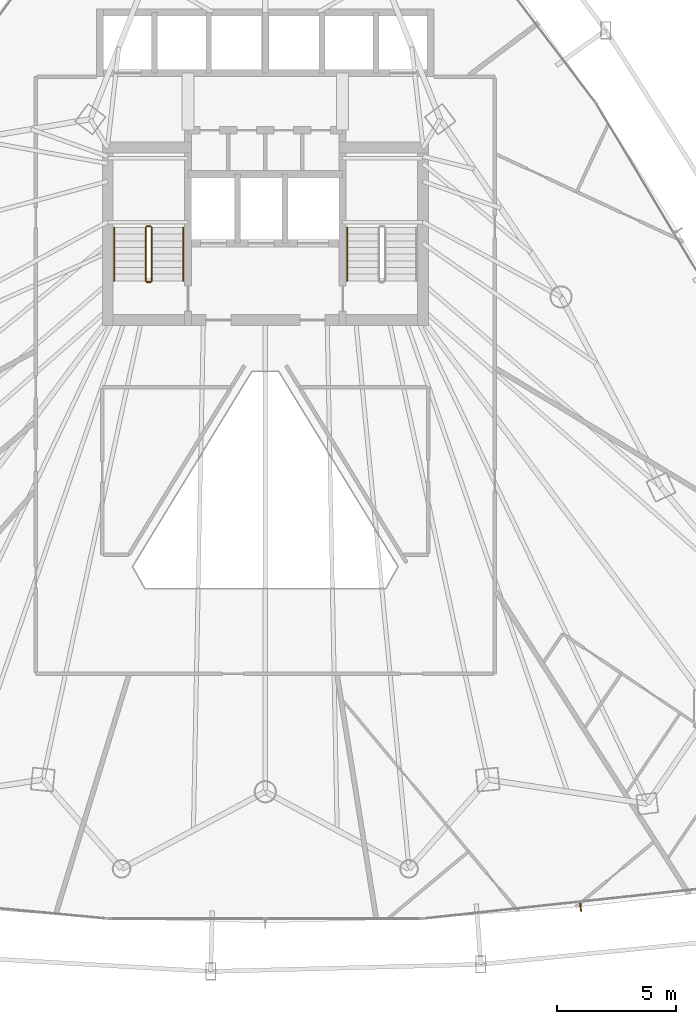
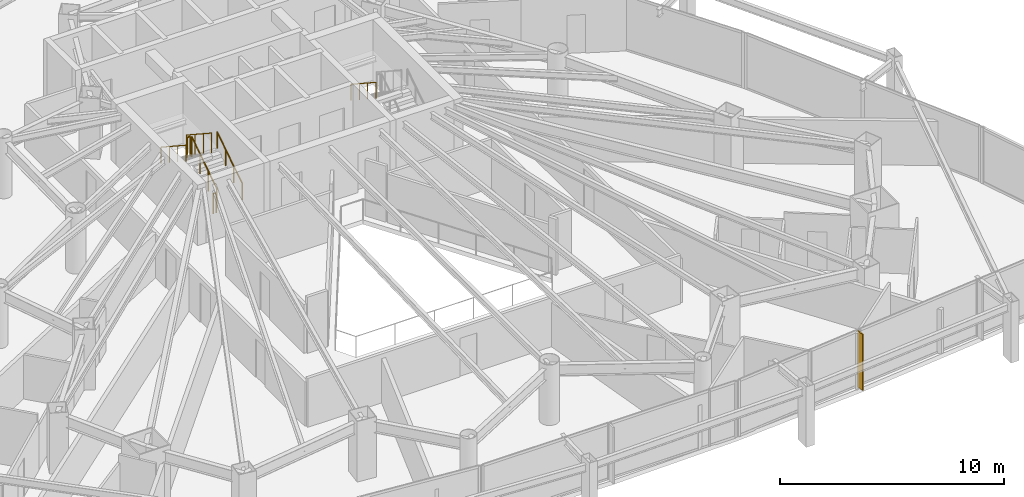
# One storey, part 36 of 38: 7 railings, 1 shading device.
"""IFC4 building model written with IfcOpenShell, lengths in metres."""

from ifc_helpers import new_model, si_unit, direction, frame, origin, origin_2d, place, context, subcontext, project, spatial, rectangle, circle, extrude, material, layer, layer_set, type_object, element, save


model = new_model("IFC4")

# Units and contexts
model_context = context("Model", 3, precision=1e-05, world=origin(), true_north=direction((0.0, 1.0)))
body_context = subcontext(model_context, "Body", "Model", "MODEL_VIEW")
ifc_project = project(units=[si_unit("LENGTHUNIT", "METRE"), si_unit("AREAUNIT", "SQUARE_METRE"), si_unit("VOLUMEUNIT", "CUBIC_METRE"), si_unit("PLANEANGLEUNIT", "RADIAN"), si_unit("MASSUNIT", "GRAM", prefix="KILO")], contexts=[model_context])

# Site, building, storey
site_placement = place(None, origin())
site = spatial("IfcSite", under=ifc_project, at=site_placement, CompositionType="ELEMENT")
building_placement = place(site_placement, origin())
building = spatial("IfcBuilding", under=site, at=building_placement, Name="Orvanel Arch Residences", CompositionType="ELEMENT")
storey_placement = place(building_placement, frame((0.0, 0.0, 46.699951171875)))
storey = spatial("IfcBuildingStorey", under=building, at=storey_placement, Name="L12", CompositionType="ELEMENT", Elevation=46.699951171875)

# Shading device
ifc_material_1 = material(Name="Bronze-anodised aluminium AA6063-T6", Category="aluminium")
ifc_layer = layer(ifc_material_1, 0.06005859375)
ifc_layer_set = layer_set([ifc_layer], Name="Bronze-anodised aluminium AA6063-T6")
shading_device_type = type_object("IfcShadingDeviceType", Name="FIN-BRZ-380", PredefinedType="USERDEFINED", material=ifc_layer_set)
shading_device_placement = place(storey_placement, frame((46.251953125, 2.0048828125, 0.0), z_axis=(0.0, 0.0, 1.0), x_axis=(0.106264071336, -0.994337944133, 0.0)))
element("IfcShadingDevice", 1, at=shading_device_placement, inside=storey, type_object=shading_device_type, Name="L12 Anodised Bronze Mullion FIN 01", ObjectType="FIN", PredefinedType="USERDEFINED", context=body_context, shape_type="SweptSolid", body=[
    extrude(rectangle(XDim=0.3798828125, YDim=0.06005859375, at=origin_2d()), origin(), (0.0, 0.0, 1.0), 3.06005859375),
])

# Railings
ifc_material_2 = material(Name="Structural steel AS/NZS 1163 C350L0 (Grade 350)", Category="steel")
railing_type_1 = type_object("IfcRailingType", Name="RL-STAIR-GUARD", PredefinedType="GUARDRAIL", material=ifc_material_2)
railing_1_placement = place(storey_placement, frame((28.22998046875, 28.320068359375, 0.183349609375)))
element("IfcRailing", 2, at=railing_1_placement, inside=storey, type_object=railing_type_1, Name="L12 ST-1 stair guard 1", PredefinedType="GUARDRAIL", context=body_context, shape_type="SweptSolid", body=[
    extrude(circle(Radius=0.02392578125, at=origin_2d()), frame((0.0, 0.001220703125, 1.076904296875), z_axis=(0.0, 0.836595146698, 0.547821650285), x_axis=(-1.0, 0.0, 0.0)), (0.0, 0.0, 1.0), 2.674560546875),
    extrude(circle(Radius=0.02099609375, at=origin_2d()), origin(), (0.0, 0.0, 1.0), 1.050048828125),
    extrude(circle(Radius=0.02099609375, at=origin_2d()), frame((0.0, 0.74658203125, 0.489013671875)), (0.0, 0.0, 1.0), 1.050048828125),
    extrude(circle(Radius=0.02099609375, at=origin_2d()), frame((0.0, 1.493408203125, 0.977783203125)), (0.0, 0.0, 1.0), 1.050048828125),
    extrude(circle(Radius=0.02099609375, at=origin_2d()), frame((0.0, 2.239990234375, 1.466796875)), (0.0, 0.0, 1.0), 1.050048828125),
])
railing_2_placement = place(storey_placement, frame((28.179931640625, 30.610107421875, 1.650146484375)))
element("IfcRailing", 3, at=railing_2_placement, inside=storey, type_object=railing_type_1, Name="L12 ST-1 stair guard 2", PredefinedType="GUARDRAIL", context=body_context, shape_type="SweptSolid", body=[
    extrude(circle(Radius=0.02392578125, at=origin_2d()), frame((-0.00146484375, 0.0, 1.076171875), z_axis=(-1.0, 0.0, 0.0), x_axis=(0.0, -1.0, 0.0)), (0.0, 0.0, 1.0), 0.156982421875),
    extrude(circle(Radius=0.02099609375, at=origin_2d()), origin(), (0.0, 0.0, 1.0), 1.050048828125),
    extrude(circle(Radius=0.02099609375, at=origin_2d()), frame((-0.159912109375, 0.0, 0.0)), (0.0, 0.0, 1.0), 1.050048828125),
])
railing_3_placement = place(storey_placement, frame((27.969970703125, 30.56005859375, 1.83349609375)))
element("IfcRailing", 4, at=railing_3_placement, inside=storey, type_object=railing_type_1, Name="L12 ST-1 stair guard 3", PredefinedType="GUARDRAIL", context=body_context, shape_type="SweptSolid", body=[
    extrude(circle(Radius=0.02392578125, at=origin_2d()), frame((0.0, -0.001220703125, 1.076904296875), z_axis=(0.0, -0.836636935527, 0.547757827979), x_axis=(1.0, 0.0, 0.0)), (0.0, 0.0, 1.0), 2.67431640625),
    extrude(circle(Radius=0.02099609375, at=origin_2d()), origin(), (0.0, 0.0, 1.0), 1.050048828125),
    extrude(circle(Radius=0.02099609375, at=origin_2d()), frame((0.0, -0.74658203125, 0.48876953125)), (0.0, 0.0, 1.0), 1.050048828125),
    extrude(circle(Radius=0.02099609375, at=origin_2d()), frame((0.0, -1.493408203125, 0.977783203125)), (0.0, 0.0, 1.0), 1.050048828125),
    extrude(circle(Radius=0.02099609375, at=origin_2d()), frame((0.0, -2.239990234375, 1.466552734375)), (0.0, 0.0, 1.0), 1.050048828125),
])
railing_4_placement = place(storey_placement, frame((28.179931640625, 28.27001953125, 0.0)))
element("IfcRailing", 5, at=railing_4_placement, inside=storey, type_object=railing_type_1, Name="L12 ST-1 stair guard 4", PredefinedType="GUARDRAIL", context=body_context, shape_type="SweptSolid", body=[
    extrude(circle(Radius=0.02392578125, at=origin_2d()), frame((-0.00146484375, 0.0, 1.076171875), z_axis=(-1.0, 0.0, 0.0), x_axis=(0.0, -1.0, 0.0)), (0.0, 0.0, 1.0), 0.156982421875),
    extrude(circle(Radius=0.02099609375, at=origin_2d()), origin(), (0.0, 0.0, 1.0), 1.050048828125),
    extrude(circle(Radius=0.02099609375, at=origin_2d()), frame((-0.159912109375, 0.0, 0.0)), (0.0, 0.0, 1.0), 1.050048828125),
])
railing_type_2 = type_object("IfcRailingType", Name="RL-STAIR-HAND", PredefinedType="HANDRAIL", material=ifc_material_2)
railing_5_placement = place(storey_placement, frame((29.550048828125, 28.320068359375, 0.183349609375)))
element("IfcRailing", 6, at=railing_5_placement, inside=storey, type_object=railing_type_2, Name="L12 ST-1 stair handrail 1", PredefinedType="HANDRAIL", context=body_context, shape_type="SweptSolid", body=[
    extrude(circle(Radius=0.02392578125, at=origin_2d()), frame((0.0, 0.001220703125, 0.876708984375), z_axis=(0.0, 0.836595146698, 0.547821650285), x_axis=(-1.0, 0.0, 0.0)), (0.0, 0.0, 1.0), 2.674560546875),
    extrude(circle(Radius=0.02099609375, at=origin_2d()), origin(), (0.0, 0.0, 1.0), 0.849853515625),
    extrude(circle(Radius=0.02099609375, at=origin_2d()), frame((0.0, 0.74658203125, 0.489013671875)), (0.0, 0.0, 1.0), 0.849853515625),
    extrude(circle(Radius=0.02099609375, at=origin_2d()), frame((0.0, 1.493408203125, 0.977783203125)), (0.0, 0.0, 1.0), 0.849853515625),
    extrude(circle(Radius=0.02099609375, at=origin_2d()), frame((0.0, 2.239990234375, 1.466796875)), (0.0, 0.0, 1.0), 0.849853515625),
])
for number, where, name in (
    (7, (26.64990234375, 30.56005859375, 1.83349609375), "L12 ST-1 stair handrail 2"),
    (8, (36.449951171875, 30.56005859375, 1.83349609375), "L12 ST-2 stair handrail 2"),
):
    element("IfcRailing", number, at=place(storey_placement, frame(where)), inside=storey, type_object=railing_type_2, Name=name, PredefinedType="HANDRAIL", context=body_context, shape_type="SweptSolid", body=[
        extrude(circle(Radius=0.02392578125, at=origin_2d()), frame((0.0, -0.001220703125, 0.876708984375), z_axis=(0.0, -0.836636935527, 0.547757827979), x_axis=(1.0, 0.0, 0.0)), (0.0, 0.0, 1.0), 2.67431640625),
        extrude(circle(Radius=0.02099609375, at=origin_2d()), origin(), (0.0, 0.0, 1.0), 0.849853515625),
        extrude(circle(Radius=0.02099609375, at=origin_2d()), frame((0.0, -0.74658203125, 0.48876953125)), (0.0, 0.0, 1.0), 0.849853515625),
        extrude(circle(Radius=0.02099609375, at=origin_2d()), frame((0.0, -1.493408203125, 0.977783203125)), (0.0, 0.0, 1.0), 0.849853515625),
        extrude(circle(Radius=0.02099609375, at=origin_2d()), frame((0.0, -2.239990234375, 1.466552734375)), (0.0, 0.0, 1.0), 0.849853515625),
    ])

save(model, "model.ifc")
